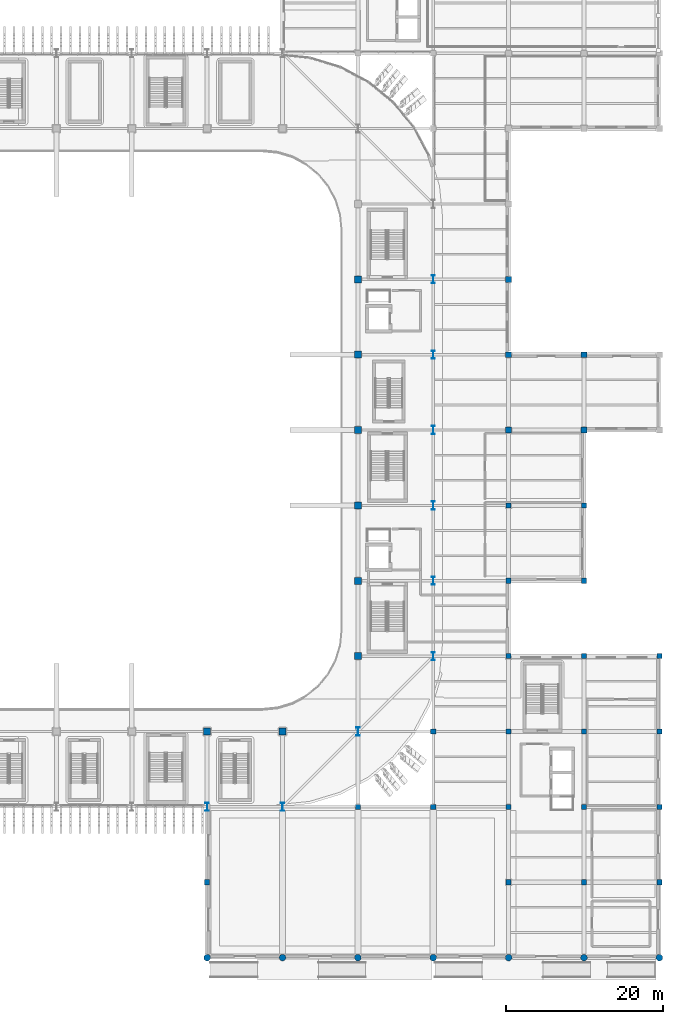
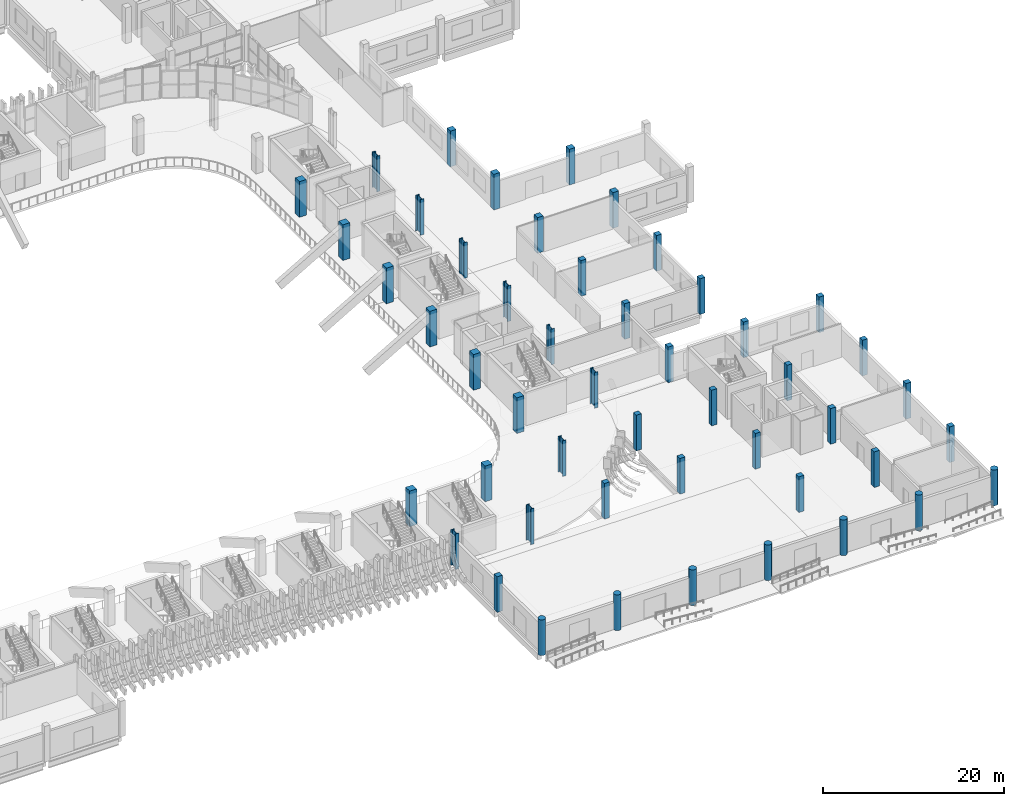
# One storey, part 10 of 100: 49 columns.
"""IFC4 building model written with IfcOpenShell, lengths in metres."""

from ifc_helpers import new_model, si_unit, direction, frame, origin, origin_2d, place, context, subcontext, project, spatial, rectangle, circle, i_section, extrude, material, material_profile, profile_set, type_object, element, save


model = new_model("IFC4")

# Units and contexts
model_context = context("Model", 3, precision=1e-05, world=origin(), true_north=direction((0.0, 1.0)))
body_context = subcontext(model_context, "Body", "Model", "MODEL_VIEW")
ifc_project = project(units=[si_unit("LENGTHUNIT", "METRE"), si_unit("AREAUNIT", "SQUARE_METRE"), si_unit("VOLUMEUNIT", "CUBIC_METRE"), si_unit("PLANEANGLEUNIT", "RADIAN"), si_unit("MASSUNIT", "GRAM", prefix="KILO")], contexts=[model_context])

# Site, building, storey
site_placement = place(None, origin())
site = spatial("IfcSite", under=ifc_project, at=site_placement, CompositionType="ELEMENT")
building_placement = place(site_placement, origin())
building = spatial("IfcBuilding", under=site, at=building_placement, Name="Caelomonte Colonnade Arena", CompositionType="ELEMENT")
storey_placement = place(building_placement, origin())
storey = spatial("IfcBuildingStorey", under=building, at=storey_placement, Name="L00", CompositionType="ELEMENT", Elevation=0.0)

# Columns
ifc_material_1 = material(Name="Concrete C50/60", Category="concrete")
ifc_material_profile_1 = material_profile(ifc_material_1, rectangle(XDim=0.89990234375, YDim=0.89990234375, at=origin_2d()), Name="RC900X900")
ifc_profile_set_1 = profile_set([ifc_material_profile_1], Name="Concrete C50/60")
column_type_1 = type_object("IfcColumnType", Name="STR-COL-RC09", PredefinedType="COLUMN", material=ifc_profile_set_1)
for number, where, z_axis, x_axis, name in (
    (1, (134.39990234375, 28.800048828125, 0.0), (0.0, 0.0, 1.0), (1.0, 0.0, 0.0), "L00 column (134.4, 28.8)"),
    (2, (144.0, 28.800048828125, 0.0), (0.0, 0.0, 1.0), (1.0, 0.0, 0.0), "L00 column (144.0, 28.8)"),
    (3, (153.60009765625, 38.39990234375, 0.0), (0.0, 0.0, 1.0), (1.0, 0.0, 0.0), "L00 column (153.6, 38.4)"),
    (4, (153.60009765625, 48.0, 0.0), (0.0, 0.0, 1.0), (1.0, 0.0, 0.0), "L00 column (153.6, 48.0)"),
    (5, (153.60009765625, 57.60009765625, 0.0), (0.0, 0.0, 1.0), (1.0, 0.0, 0.0), "L00 column (153.6, 57.6)"),
    (6, (153.60009765625, 67.199951171875, 0.0), (0.0, 0.0, 1.0), (1.0, 0.0, 0.0), "L00 column (153.6, 67.2)"),
    (7, (153.60009765625, 76.800048828125, 0.0), (0.0, 0.0, 1.0), (1.0, 0.0, 0.0), "L00 column (153.6, 76.8)"),
    (8, (153.60009765625, 86.39990234375, 0.0), (0.0, 0.0, 1.0), (1.0, 0.0, 0.0), "L00 column (153.6, 86.4)"),
):
    element("IfcColumn", number, at=place(storey_placement, frame(where, z_axis=z_axis, x_axis=x_axis)), inside=storey, type_object=column_type_1, Name=name, PredefinedType="COLUMN", context=body_context, shape_type="SweptSolid", body=[
        extrude(rectangle(XDim=0.89990234375, YDim=0.89990234375, at=origin_2d()), origin(), (0.0, 0.0, 1.0), 4.800048828125),
    ])
ifc_material_2 = material(Name="Concrete C40/50", Category="concrete")
ifc_material_profile_2 = material_profile(ifc_material_2, rectangle(XDim=0.64990234375, YDim=0.64990234375, at=origin_2d()), Name="RC650X650")
ifc_profile_set_2 = profile_set([ifc_material_profile_2], Name="Concrete C40/50")
column_type_2 = type_object("IfcColumnType", Name="STR-COL-RC65", PredefinedType="COLUMN", material=ifc_profile_set_2)
for number, where, z_axis, x_axis, name in (
    (9, (134.39990234375, 9.60009765625, 0.0), (0.0, 0.0, 1.0), (1.0, 0.0, 0.0), "L00 column (134.4, 9.6)"),
    (10, (153.60009765625, 19.199951171875, 0.0), (0.0, 0.0, 1.0), (1.0, 0.0, 0.0), "L00 column (153.6, 19.2)"),
    (11, (163.199951171875, 19.199951171875, 0.0), (0.0, 0.0, 1.0), (1.0, 0.0, 0.0), "L00 column (163.2, 19.2)"),
    (12, (163.199951171875, 28.800048828125, 0.0), (0.0, 0.0, 1.0), (1.0, 0.0, 0.0), "L00 column (163.2, 28.8)"),
    (13, (172.800048828125, 9.60009765625, 0.0), (0.0, 0.0, 1.0), (1.0, 0.0, 0.0), "L00 column (172.8, 9.6)"),
    (14, (172.800048828125, 19.199951171875, 0.0), (0.0, 0.0, 1.0), (1.0, 0.0, 0.0), "L00 column (172.8, 19.2)"),
    (15, (172.800048828125, 28.800048828125, 0.0), (0.0, 0.0, 1.0), (1.0, 0.0, 0.0), "L00 column (172.8, 28.8)"),
    (16, (172.800048828125, 38.39990234375, 0.0), (0.0, 0.0, 1.0), (1.0, 0.0, 0.0), "L00 column (172.8, 38.4)"),
    (17, (172.800048828125, 48.0, 0.0), (0.0, 0.0, 1.0), (1.0, 0.0, 0.0), "L00 column (172.8, 48.0)"),
    (18, (172.800048828125, 57.60009765625, 0.0), (0.0, 0.0, 1.0), (1.0, 0.0, 0.0), "L00 column (172.8, 57.6)"),
    (19, (182.39990234375, 9.60009765625, 0.0), (0.0, 0.0, 1.0), (1.0, 0.0, 0.0), "L00 column (182.4, 9.6)"),
    (20, (182.39990234375, 19.199951171875, 0.0), (0.0, 0.0, 1.0), (1.0, 0.0, 0.0), "L00 column (182.4, 19.2)"),
    (21, (182.39990234375, 28.800048828125, 0.0), (0.0, 0.0, 1.0), (1.0, 0.0, 0.0), "L00 column (182.4, 28.8)"),
    (22, (182.39990234375, 38.39990234375, 0.0), (0.0, 0.0, 1.0), (1.0, 0.0, 0.0), "L00 column (182.4, 38.4)"),
    (23, (182.39990234375, 48.0, 0.0), (0.0, 0.0, 1.0), (1.0, 0.0, 0.0), "L00 column (182.4, 48.0)"),
    (24, (182.39990234375, 57.60009765625, 0.0), (0.0, 0.0, 1.0), (1.0, 0.0, 0.0), "L00 column (182.4, 57.6)"),
    (25, (192.0, 9.60009765625, 0.0), (0.0, 0.0, 1.0), (1.0, 0.0, 0.0), "L00 column (192.0, 9.6)"),
    (26, (192.0, 19.199951171875, 0.0), (0.0, 0.0, 1.0), (1.0, 0.0, 0.0), "L00 column (192.0, 19.2)"),
    (27, (192.0, 28.800048828125, 0.0), (0.0, 0.0, 1.0), (1.0, 0.0, 0.0), "L00 column (192.0, 28.8)"),
    (28, (192.0, 38.39990234375, 0.0), (0.0, 0.0, 1.0), (1.0, 0.0, 0.0), "L00 column (192.0, 38.4)"),
):
    element("IfcColumn", number, at=place(storey_placement, frame(where, z_axis=z_axis, x_axis=x_axis)), inside=storey, type_object=column_type_2, Name=name, PredefinedType="COLUMN", context=body_context, shape_type="SweptSolid", body=[
        extrude(rectangle(XDim=0.64990234375, YDim=0.64990234375, at=origin_2d()), origin(), (0.0, 0.0, 1.0), 4.800048828125),
    ])
ifc_material_profile_3 = material_profile(ifc_material_2, rectangle(XDim=0.75, YDim=0.75, at=origin_2d()), Name="RC750X750")
ifc_profile_set_3 = profile_set([ifc_material_profile_3], Name="Concrete C40/50")
column_type_3 = type_object("IfcColumnType", Name="STR-COL-RC75", PredefinedType="COLUMN", material=ifc_profile_set_3)
for number, where, z_axis, x_axis, name in (
    (29, (172.800048828125, 67.199951171875, 0.0), (0.0, 0.0, 1.0), (1.0, 0.0, 0.0), "L00 column (172.8, 67.2)"),
    (30, (172.800048828125, 76.800048828125, 0.0), (0.0, 0.0, 1.0), (1.0, 0.0, 0.0), "L00 column (172.8, 76.8)"),
    (31, (172.800048828125, 86.39990234375, 0.0), (0.0, 0.0, 1.0), (1.0, 0.0, 0.0), "L00 column (172.8, 86.4)"),
    (32, (182.39990234375, 67.199951171875, 0.0), (0.0, 0.0, 1.0), (1.0, 0.0, 0.0), "L00 column (182.4, 67.2)"),
    (33, (182.39990234375, 76.800048828125, 0.0), (0.0, 0.0, 1.0), (1.0, 0.0, 0.0), "L00 column (182.4, 76.8)"),
):
    element("IfcColumn", number, at=place(storey_placement, frame(where, z_axis=z_axis, x_axis=x_axis)), inside=storey, type_object=column_type_3, Name=name, PredefinedType="COLUMN", context=body_context, shape_type="SweptSolid", body=[
        extrude(rectangle(XDim=0.75, YDim=0.75, at=origin_2d()), origin(), (0.0, 0.0, 1.0), 4.800048828125),
    ])
ifc_material_3 = material(Name="Wide-flange steel ASTM A992 Grade 50", Category="steel")
ifc_material_profile_4 = material_profile(ifc_material_3, i_section(OverallWidth=0.427001953125, OverallDepth=1.04150390625, WebThickness=0.031005859375, FlangeThickness=0.055908203125, FilletRadius=0.030517578125, at=origin_2d()), Name="W40X397")
ifc_profile_set_4 = profile_set([ifc_material_profile_4], Name="Wide-flange steel ASTM A992 Grade 50")
column_type_4 = type_object("IfcColumnType", Name="STR-COL-W40A", PredefinedType="COLUMN", material=ifc_profile_set_4)
for number, where, z_axis, x_axis, name in (
    (34, (134.39990234375, 19.199951171875, 0.0), (0.0, 0.0, 1.0), (1.0, 0.0, 0.0), "L00 column (134.4, 19.2)"),
    (35, (144.0, 19.199951171875, 0.0), (0.0, 0.0, 1.0), (1.0, 0.0, 0.0), "L00 column (144.0, 19.2)"),
    (36, (153.60009765625, 28.800048828125, 0.0), (0.0, 0.0, 1.0), (1.0, 0.0, 0.0), "L00 column (153.6, 28.8)"),
    (37, (163.199951171875, 38.39990234375, 0.0), (0.0, 0.0, 1.0), (1.0, 0.0, 0.0), "L00 column (163.2, 38.4)"),
    (38, (163.199951171875, 48.0, 0.0), (0.0, 0.0, 1.0), (1.0, 0.0, 0.0), "L00 column (163.2, 48.0)"),
    (39, (163.199951171875, 57.60009765625, 0.0), (0.0, 0.0, 1.0), (1.0, 0.0, 0.0), "L00 column (163.2, 57.6)"),
    (40, (163.199951171875, 67.199951171875, 0.0), (0.0, 0.0, 1.0), (1.0, 0.0, 0.0), "L00 column (163.2, 67.2)"),
    (41, (163.199951171875, 76.800048828125, 0.0), (0.0, 0.0, 1.0), (1.0, 0.0, 0.0), "L00 column (163.2, 76.8)"),
    (42, (163.199951171875, 86.39990234375, 0.0), (0.0, 0.0, 1.0), (1.0, 0.0, 0.0), "L00 column (163.2, 86.4)"),
):
    element("IfcColumn", number, at=place(storey_placement, frame(where, z_axis=z_axis, x_axis=x_axis)), inside=storey, type_object=column_type_4, Name=name, PredefinedType="COLUMN", context=body_context, shape_type="SweptSolid", body=[
        extrude(i_section(OverallWidth=0.427001953125, OverallDepth=1.04150390625, WebThickness=0.031005859375, FlangeThickness=0.055908203125, FilletRadius=0.030517578125, at=origin_2d()), origin(), (0.0, 0.0, 1.0), 4.800048828125),
    ])
ifc_material_profile_5 = material_profile(ifc_material_2, circle(Radius=0.425048828125, at=origin_2d()), Name="RC-COL850")
ifc_profile_set_5 = profile_set([ifc_material_profile_5], Name="Concrete C40/50")
column_type_5 = type_object("IfcColumnType", Name="STR-PIL-C850", PredefinedType="PILASTER", material=ifc_profile_set_5)
for number, where, z_axis, x_axis, name in (
    (43, (134.39990234375, 0.0, 0.0), (0.0, 0.0, 1.0), (1.0, 0.0, 0.0), "L00 column (134.4, 0.0)"),
    (44, (144.0, 0.0, 0.0), (0.0, 0.0, 1.0), (1.0, 0.0, 0.0), "L00 column (144.0, 0.0)"),
    (45, (153.60009765625, 0.0, 0.0), (0.0, 0.0, 1.0), (1.0, 0.0, 0.0), "L00 column (153.6, 0.0)"),
    (46, (163.199951171875, 0.0, 0.0), (0.0, 0.0, 1.0), (1.0, 0.0, 0.0), "L00 column (163.2, 0.0)"),
    (47, (172.800048828125, 0.0, 0.0), (0.0, 0.0, 1.0), (1.0, 0.0, 0.0), "L00 column (172.8, 0.0)"),
    (48, (182.39990234375, 0.0, 0.0), (0.0, 0.0, 1.0), (1.0, 0.0, 0.0), "L00 column (182.4, 0.0)"),
    (49, (192.0, 0.0, 0.0), (0.0, 0.0, 1.0), (1.0, 0.0, 0.0), "L00 column (192.0, 0.0)"),
):
    element("IfcColumn", number, at=place(storey_placement, frame(where, z_axis=z_axis, x_axis=x_axis)), inside=storey, type_object=column_type_5, Name=name, PredefinedType="PILASTER", context=body_context, shape_type="SweptSolid", body=[
        extrude(circle(Radius=0.425048828125, at=origin_2d()), origin(), (0.0, 0.0, 1.0), 4.800048828125),
    ])

save(model, "model.ifc")
